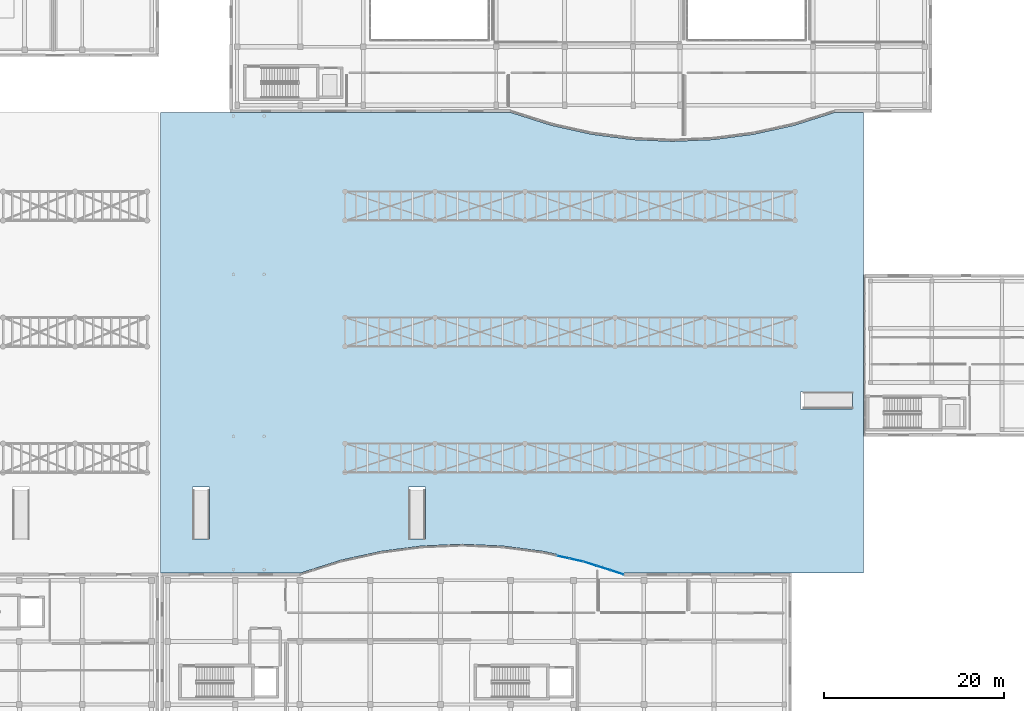
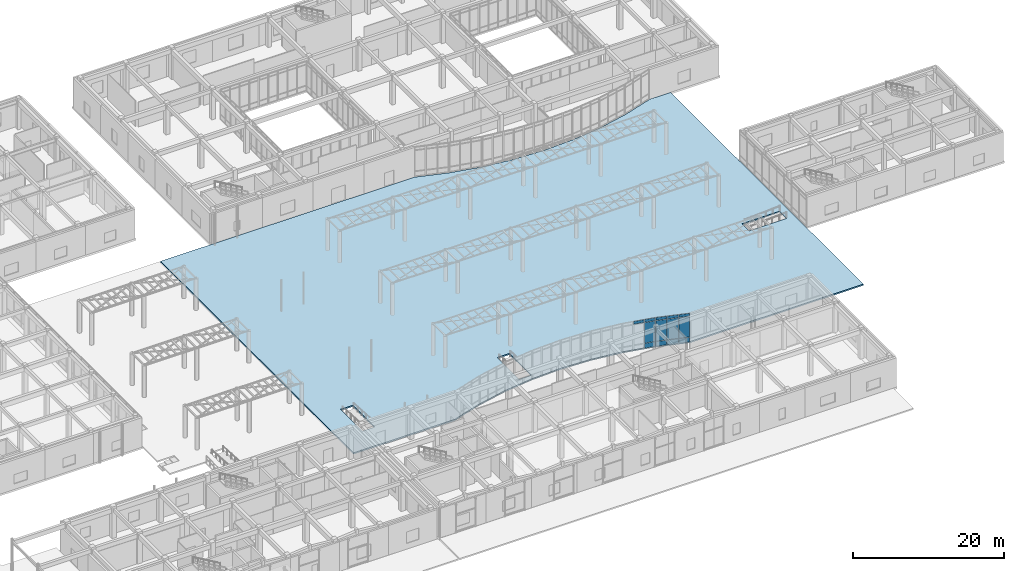
# One storey, part 81 of 121: 13 plates, 1 slab, 2 elements without a shape of their own.
"""IFC4 building model written with IfcOpenShell, lengths in metres."""

import ifcopenshell
import ifcopenshell.guid

model = None  # the IFC model being written
_history = None  # IfcOwnerHistory: only IFC2X3 demands one
_inside = {}  # id of a spatial element -> (the spatial element, [elements in it])
_under = {}  # id of a project, library or spatial element -> (it, [spatial elements below it])
_declared = {}  # id of a project -> (the project, [libraries it declares])
_typed = {}  # id of a type object -> (the type object, [elements of that type])
_made_of = {}  # id of a material, layer set ... -> (it, [elements and type objects made of it])


def new_model(schema):
    """Start an empty IFC model of exactly this schema.

    Asked for "IFC4X3", IfcOpenShell would pick the latest addendum, in which some entities
    have other attributes; the version numbers below select the first issue.
    IFC2X3 requires an IfcOwnerHistory on every rooted entity: one is made here for all.
    """
    global model, _history
    if schema == "IFC4X3":
        model = ifcopenshell.file(schema_version=(4, 3, 0, 0))
    else:
        model = ifcopenshell.file(schema=schema)
    _inside.clear()
    _under.clear()
    _declared.clear()
    _typed.clear()
    _made_of.clear()
    _history = None
    if model.schema == "IFC2X3":
        org = make("IfcOrganization", Name="unknown")
        user = make(
            "IfcPersonAndOrganization",
            ThePerson=make("IfcPerson", FamilyName="unknown"),
            TheOrganization=org,
        )
        app = make(
            "IfcApplication",
            ApplicationDeveloper=org,
            Version="unknown",
            ApplicationFullName="unknown",
            ApplicationIdentifier="unknown",
        )
        _history = make(
            "IfcOwnerHistory",
            OwningUser=user,
            OwningApplication=app,
            ChangeAction="ADDED",
            CreationDate=0,
        )
    return model


def make(cls, **values):
    """One entity of the class cls with the attributes given. An attribute that is None is left unset."""
    return model.create_entity(
        cls, **{name: value for name, value in values.items() if value is not None}
    )


def rooted(cls, **values):
    """An entity with a GlobalId (a new one), such as an element, a storey or a relation."""
    return make(cls, GlobalId=ifcopenshell.guid.new(), OwnerHistory=_history, **values)


def si_unit(unit_type, name, prefix=None):
    """IfcSIUnit, for example si_unit("LENGTHUNIT", "METRE", prefix="MILLI")."""
    return make("IfcSIUnit", UnitType=unit_type, Prefix=prefix, Name=name)


def assignment(units):
    """IfcUnitAssignment: the units of a project."""
    return None if units is None else make("IfcUnitAssignment", Units=units)


def point(xyz):
    """IfcCartesianPoint."""
    return None if xyz is None else make("IfcCartesianPoint", Coordinates=xyz)


def direction(xyz):
    """IfcDirection."""
    return None if xyz is None else make("IfcDirection", DirectionRatios=xyz)


def frame(location, z_axis=None, x_axis=None):
    """IfcAxis2Placement3D, a coordinate frame: its origin and axes. An axis left out is left unset."""
    return make(
        "IfcAxis2Placement3D",
        Location=point(location),
        Axis=direction(z_axis),
        RefDirection=direction(x_axis),
    )


def frame_2d(location, x_axis=None):
    """IfcAxis2Placement2D, a coordinate frame in the plane: its origin and x axis."""
    return make(
        "IfcAxis2Placement2D", Location=point(location), RefDirection=direction(x_axis)
    )


def origin():
    """The frame at (0, 0, 0) with its axes left unset."""
    return frame((0.0, 0.0, 0.0))


def origin_2d():
    """The frame at (0, 0) in the plane with its x axis left unset."""
    return frame_2d((0.0, 0.0))


def place(relative_to, where):
    """IfcLocalPlacement: puts the frame where relative to a parent placement (None: the world)."""
    return make(
        "IfcLocalPlacement", PlacementRelTo=relative_to, RelativePlacement=where
    )


def context(
    kind, dimensions, precision=None, world=None, true_north=None, identifier=None
):
    """IfcGeometricRepresentationContext, for example the 3D "Model" context."""
    return make(
        "IfcGeometricRepresentationContext",
        ContextIdentifier=identifier,
        ContextType=kind,
        CoordinateSpaceDimension=dimensions,
        Precision=precision,
        WorldCoordinateSystem=world,
        TrueNorth=true_north,
    )


def subcontext(parent, identifier, kind, view, scale=None):
    """IfcGeometricRepresentationSubContext, for example "Body" below "Model"."""
    return make(
        "IfcGeometricRepresentationSubContext",
        ContextIdentifier=identifier,
        ContextType=kind,
        ParentContext=parent,
        TargetScale=scale,
        TargetView=view,
    )


def project(units=None, contexts=None):
    """IfcProject with its units and contexts."""
    return rooted(
        "IfcProject",
        Name="project",
        RepresentationContexts=contexts,
        UnitsInContext=assignment(units),
    )


def spatial(cls, under=None, at=None, **own):
    """A site, building, storey or space (cls), placed at a placement, below another one or the project."""
    s = rooted(cls, ObjectPlacement=at, **own)
    if under is not None:
        _under.setdefault(under.id(), (under, []))[1].append(s)
    return s


def polyline(points):
    """IfcPolyline through the points."""
    return make("IfcPolyline", Points=[point(p) for p in points])


def profile(cls, at=None, kind="AREA", **sizes):
    """A parametric profile (cls). Its sizes go by their IFC names, for example OverallWidth=200.0."""
    return make(cls, ProfileType=kind, Position=at, **sizes)


def rectangle(**sizes):
    """IfcRectangleProfileDef."""
    return profile("IfcRectangleProfileDef", **sizes)


def outline(outer, holes=None, kind="AREA"):
    """IfcArbitraryClosedProfileDef: a profile drawn as a closed curve; with holes, ...WithVoids."""
    if holes is None:
        return make("IfcArbitraryClosedProfileDef", ProfileType=kind, OuterCurve=outer)
    return make(
        "IfcArbitraryProfileDefWithVoids",
        ProfileType=kind,
        OuterCurve=outer,
        InnerCurves=holes,
    )


def extrude(swept, where, along, depth):
    """IfcExtrudedAreaSolid: the profile swept, set in the frame where, extruded along a direction by depth."""
    return make(
        "IfcExtrudedAreaSolid",
        SweptArea=swept,
        Position=where,
        ExtrudedDirection=direction(along),
        Depth=depth,
    )


def shape(context_of_items, identifier, shape_type, items):
    """IfcShapeRepresentation: the items that make up one representation, for example the "Body"."""
    return make(
        "IfcShapeRepresentation",
        ContextOfItems=context_of_items,
        RepresentationIdentifier=identifier,
        RepresentationType=shape_type,
        Items=items,
    )


def material(Name=None, Category=None):
    """IfcMaterial."""
    return make("IfcMaterial", Name=Name, Category=Category)


def layer(
    of_material, thickness, ventilated=None, Name=None, Category=None, Priority=None
):
    """IfcMaterialLayer: one layer of a wall or slab, of a material (None: an air gap)."""
    return make(
        "IfcMaterialLayer",
        Material=of_material,
        LayerThickness=thickness,
        IsVentilated=ventilated,
        Name=Name,
        Category=Category,
        Priority=Priority,
    )


def layer_set(layers, Name=None):
    """IfcMaterialLayerSet."""
    return make("IfcMaterialLayerSet", MaterialLayers=layers, LayerSetName=Name)


def made_of(thing, what):
    """Note that an element or type object is made of a material, layer set ...; save() writes the relation."""
    if what is not None:
        _made_of.setdefault(what.id(), (what, []))[1].append(thing)
    return thing


def type_object(cls, material=None, **own):
    """A type object (cls), such as IfcWallType, which elements share."""
    return made_of(rooted(cls, **own), material)


def element(
    cls,
    number,
    at=None,
    inside=None,
    cuts=None,
    type_object=None,
    material=None,
    context=None,
    identifier="Body",
    shape_type=None,
    held_by="IfcProductDefinitionShape",
    body=None,
    shapes=None,
    **own,
):
    """One element of the class cls, such as IfcWall. Its Tag is "e" and its number.

    at: its placement. inside: the storey or other place that contains it. cuts: it is an
    opening in that element (IfcRelVoidsElement). A single representation is given by context,
    identifier, shape_type and body (its items); several are given by shapes. held_by: the class
    of the entity that holds the representations. save() writes the other relations.
    """
    e = rooted(cls, Tag="e%d" % number, ObjectPlacement=at, **own)
    if body is not None:
        shapes = [shape(context, identifier, shape_type, body)]
    if shapes is not None:
        e.Representation = make(held_by, Representations=shapes)
    if inside is not None:
        _inside.setdefault(inside.id(), (inside, []))[1].append(e)
    if cuts is not None:
        rooted(
            "IfcRelVoidsElement", RelatingBuildingElement=cuts, RelatedOpeningElement=e
        )
    if type_object is not None:
        _typed.setdefault(type_object.id(), (type_object, []))[1].append(e)
    return made_of(e, material)


def aggregate(whole, parts):
    """IfcRelAggregates: a whole, such as a stair, and the parts it consists of."""
    return rooted("IfcRelAggregates", RelatingObject=whole, RelatedObjects=parts)


def save(model, path):
    """Write the relations noted so far, then the file.

    IfcRelAggregates (storeys below a building ...), IfcRelContainedInSpatialStructure (elements
    in a storey), IfcRelDefinesByType, IfcRelAssociatesMaterial and IfcRelDeclares: one each for
    every whole, place, type object, material and project.
    """
    for whole, parts in _under.values():
        aggregate(whole, parts)
    for where, things in _inside.values():
        rooted(
            "IfcRelContainedInSpatialStructure",
            RelatedElements=things,
            RelatingStructure=where,
        )
    for kind, things in _typed.values():
        rooted("IfcRelDefinesByType", RelatedObjects=things, RelatingType=kind)
    for what, things in _made_of.values():
        rooted("IfcRelAssociatesMaterial", RelatedObjects=things, RelatingMaterial=what)
    for by, libraries in _declared.values():
        rooted("IfcRelDeclares", RelatingContext=by, RelatedDefinitions=libraries)
    model.write(path)


model = new_model("IFC4")

# Units and contexts
model_context = context("Model", 3, precision=1e-05, world=origin(), true_north=direction((0.0, 1.0)))
body_context = subcontext(model_context, "Body", "Model", "MODEL_VIEW")
ifc_project = project(units=[si_unit("LENGTHUNIT", "METRE"), si_unit("AREAUNIT", "SQUARE_METRE"), si_unit("VOLUMEUNIT", "CUBIC_METRE"), si_unit("PLANEANGLEUNIT", "RADIAN"), si_unit("MASSUNIT", "GRAM", prefix="KILO")], contexts=[model_context])

# Site, building, storey
site_placement = place(None, origin())
site = spatial("IfcSite", under=ifc_project, at=site_placement, CompositionType="ELEMENT")
building_placement = place(site_placement, origin())
building = spatial("IfcBuilding", under=site, at=building_placement, Name="Valcora Specialist Clinic", CompositionType="ELEMENT")
storey_placement = place(building_placement, origin())
storey = spatial("IfcBuildingStorey", under=building, at=storey_placement, Name="L00", CompositionType="ELEMENT", Elevation=0.0)

# Curtain wall, plates
ifc_material_1 = material(Name="Anodized Bronze Aluminium 6063-T6", Category="aluminium")
ifc_layer_1 = layer(ifc_material_1, 0.175048828125)
ifc_layer_set_1 = layer_set([ifc_layer_1], Name="Anodized Bronze Aluminium 6063-T6")
curtain_wall_type = type_object("IfcCurtainWallType", Name="TY-CW-ARC51", PredefinedType="NOTDEFINED", material=ifc_layer_set_1)
curtain_wall_1_placement = place(storey_placement, origin())
curtain_wall_1 = element("IfcCurtainWall", 1, at=curtain_wall_1_placement, inside=storey, type_object=curtain_wall_type, Name="Curtain wall CW-L00-192", PredefinedType="NOTDEFINED")
ifc_material_2 = material(Name="Low-E Laminated Insulating Glass", Category="glass")
ifc_layer_2 = layer(ifc_material_2, 0.028076171875)
ifc_layer_set_2 = layer_set([ifc_layer_2], Name="Low-E Laminated Insulating Glass")
plate_type_1 = type_object("IfcPlateType", Name="TY-CWP-GLZ28", PredefinedType="CURTAIN_PANEL", material=ifc_layer_set_2)
plate_1_placement = place(storey_placement, frame((98.217529296875, 24.58447265625, 4.25244140625), z_axis=(0.0, 0.0, 1.0), x_axis=(0.976278614432, -0.216518052372, 0.0)))
plate_1 = element("IfcPlate", 2, at=plate_1_placement, type_object=plate_type_1, Name="CW-ARC-51 panel 2.3", PredefinedType="CURTAIN_PANEL", context=body_context, shape_type="SweptSolid", body=[
    extrude(rectangle(XDim=1.467041015625, YDim=0.028076171875, at=origin_2d()), origin(), (0.0, 0.0, 1.0), 0.452392578125),
])
plate_2_placement = place(storey_placement, frame((99.697265625, 24.25634765625, 0.88232421875), z_axis=(0.0, 0.0, 1.0), x_axis=(0.976278614432, -0.216518052372, 0.0)))
plate_2 = element("IfcPlate", 3, at=plate_2_placement, type_object=plate_type_1, Name="CW-ARC-51 panel 3.2", PredefinedType="CURTAIN_PANEL", context=body_context, shape_type="SweptSolid", body=[
    extrude(rectangle(XDim=1.4345703125, YDim=0.028076171875, at=origin_2d()), origin(), (0.0, 0.0, 1.0), 3.304931640625),
])
plate_3_placement = place(storey_placement, frame((99.697265625, 24.25634765625, 4.25244140625), z_axis=(0.0, 0.0, 1.0), x_axis=(0.976278614432, -0.216518052372, 0.0)))
plate_3 = element("IfcPlate", 4, at=plate_3_placement, type_object=plate_type_1, Name="CW-ARC-51 panel 3.3", PredefinedType="CURTAIN_PANEL", context=body_context, shape_type="SweptSolid", body=[
    extrude(rectangle(XDim=1.4345703125, YDim=0.028076171875, at=origin_2d()), origin(), (0.0, 0.0, 1.0), 0.452392578125),
])

curtain_wall_2_placement = place(storey_placement, origin())
curtain_wall_2 = element("IfcCurtainWall", 5, at=curtain_wall_2_placement, inside=storey, type_object=curtain_wall_type, Name="Curtain wall CW-L00-193", PredefinedType="NOTDEFINED")
ifc_layer_3 = layer(ifc_material_2, 0.033935546875)
ifc_layer_set_3 = layer_set([ifc_layer_3], Name="Low-E Laminated Insulating Glass")
plate_type_2 = type_object("IfcPlateType", Name="TY-CWP-GLZ34", PredefinedType="CURTAIN_PANEL", material=ifc_layer_set_3)
plate_4_placement = place(storey_placement, frame((101.22900390625, 23.842529296875, 0.88232421875), z_axis=(0.0, 0.0, 1.0), x_axis=(0.952916356972, -0.303233270958, 0.0)))
plate_4 = element("IfcPlate", 6, at=plate_4_placement, type_object=plate_type_2, Name="CW-ARC-51 panel 1.2", PredefinedType="CURTAIN_PANEL", context=body_context, shape_type="SweptSolid", body=[
    extrude(rectangle(XDim=1.482177734375, YDim=0.033935546875, at=origin_2d()), origin(), (0.0, 0.0, 1.0), 3.304931640625),
])
plate_5_placement = place(storey_placement, frame((101.22900390625, 23.842529296875, 4.25244140625), z_axis=(0.0, 0.0, 1.0), x_axis=(0.952916356972, -0.303233270958, 0.0)))
plate_5 = element("IfcPlate", 7, at=plate_5_placement, type_object=plate_type_2, Name="CW-ARC-51 panel 1.3", PredefinedType="CURTAIN_PANEL", context=body_context, shape_type="SweptSolid", body=[
    extrude(rectangle(XDim=1.482177734375, YDim=0.033935546875, at=origin_2d()), origin(), (0.0, 0.0, 1.0), 0.452392578125),
])
plate_6_placement = place(storey_placement, frame((102.71875, 23.368408203125, 0.88232421875), z_axis=(0.0, 0.0, 1.0), x_axis=(0.952916356972, -0.303233270958, 0.0)))
plate_6 = element("IfcPlate", 8, at=plate_6_placement, type_object=plate_type_2, Name="CW-ARC-51 panel 2.2", PredefinedType="CURTAIN_PANEL", context=body_context, shape_type="SweptSolid", body=[
    extrude(rectangle(XDim=1.5146484375, YDim=0.033935546875, at=origin_2d()), origin(), (0.0, 0.0, 1.0), 3.304931640625),
])
plate_7_placement = place(storey_placement, frame((102.71875, 23.368408203125, 4.25244140625), z_axis=(0.0, 0.0, 1.0), x_axis=(0.952916356972, -0.303233270958, 0.0)))
plate_7 = element("IfcPlate", 9, at=plate_7_placement, type_object=plate_type_2, Name="CW-ARC-51 panel 2.3", PredefinedType="CURTAIN_PANEL", context=body_context, shape_type="SweptSolid", body=[
    extrude(rectangle(XDim=1.5146484375, YDim=0.033935546875, at=origin_2d()), origin(), (0.0, 0.0, 1.0), 0.452392578125),
])
plate_8_placement = place(storey_placement, frame((104.20849609375, 22.89453125, 0.88232421875), z_axis=(0.0, 0.0, 1.0), x_axis=(0.952916356972, -0.303233270958, 0.0)))
plate_8 = element("IfcPlate", 10, at=plate_8_placement, type_object=plate_type_2, Name="CW-ARC-51 panel 3.2", PredefinedType="CURTAIN_PANEL", context=body_context, shape_type="SweptSolid", body=[
    extrude(rectangle(XDim=1.482177734375, YDim=0.033935546875, at=origin_2d()), origin(), (0.0, 0.0, 1.0), 3.304931640625),
])
plate_9_placement = place(storey_placement, frame((104.20849609375, 22.89453125, 4.25244140625), z_axis=(0.0, 0.0, 1.0), x_axis=(0.952916356972, -0.303233270958, 0.0)))
plate_9 = element("IfcPlate", 11, at=plate_9_placement, type_object=plate_type_2, Name="CW-ARC-51 panel 3.3", PredefinedType="CURTAIN_PANEL", context=body_context, shape_type="SweptSolid", body=[
    extrude(rectangle(XDim=1.482177734375, YDim=0.033935546875, at=origin_2d()), origin(), (0.0, 0.0, 1.0), 0.452392578125),
])

# Plate
ifc_material_3 = material(Name="Insulated Spandrel Panel")
ifc_layer_4 = layer(ifc_material_3, 0.044921875)
ifc_layer_set_4 = layer_set([ifc_layer_4], Name="Insulated Spandrel Panel")
plate_type_3 = type_object("IfcPlateType", Name="TY-CWP-SPN45", PredefinedType="SHEET", material=ifc_layer_set_4)
plate_10_placement = place(storey_placement, frame((99.697265625, 24.25634765625, 0.06494140625), z_axis=(0.0, 0.0, 1.0), x_axis=(0.976278614432, -0.216518052372, 0.0)))
plate_10 = element("IfcPlate", 12, at=plate_10_placement, type_object=plate_type_3, Name="CW-ARC-51 panel 3.1", PredefinedType="SHEET", context=body_context, shape_type="SweptSolid", body=[
    extrude(rectangle(XDim=1.4345703125, YDim=0.044921875, at=origin_2d()), origin(), (0.0, 0.0, 1.0), 0.75244140625),
])

aggregate(curtain_wall_1, [plate_1, plate_10, plate_2, plate_3])

plate_11_placement = place(storey_placement, frame((101.22900390625, 23.842529296875, 0.06494140625), z_axis=(0.0, 0.0, 1.0), x_axis=(0.952916356972, -0.303233270958, 0.0)))
plate_11 = element("IfcPlate", 13, at=plate_11_placement, type_object=plate_type_3, Name="CW-ARC-51 panel 1.1", PredefinedType="SHEET", context=body_context, shape_type="SweptSolid", body=[
    extrude(rectangle(XDim=1.482177734375, YDim=0.044921875, at=origin_2d()), origin(), (0.0, 0.0, 1.0), 0.75244140625),
])

plate_12_placement = place(storey_placement, frame((102.71875, 23.368408203125, 0.06494140625), z_axis=(0.0, 0.0, 1.0), x_axis=(0.952916356972, -0.303233270958, 0.0)))
plate_12 = element("IfcPlate", 14, at=plate_12_placement, type_object=plate_type_3, Name="CW-ARC-51 panel 2.1", PredefinedType="SHEET", context=body_context, shape_type="SweptSolid", body=[
    extrude(rectangle(XDim=1.5146484375, YDim=0.044921875, at=origin_2d()), origin(), (0.0, 0.0, 1.0), 0.75244140625),
])

plate_13_placement = place(storey_placement, frame((104.20849609375, 22.89453125, 0.06494140625), z_axis=(0.0, 0.0, 1.0), x_axis=(0.952916356972, -0.303233270958, 0.0)))
plate_13 = element("IfcPlate", 15, at=plate_13_placement, type_object=plate_type_3, Name="CW-ARC-51 panel 3.1", PredefinedType="SHEET", context=body_context, shape_type="SweptSolid", body=[
    extrude(rectangle(XDim=1.482177734375, YDim=0.044921875, at=origin_2d()), origin(), (0.0, 0.0, 1.0), 0.75244140625),
])

aggregate(curtain_wall_2, [plate_11, plate_4, plate_5, plate_12, plate_6, plate_7, plate_13, plate_8, plate_9])

# Slab
ifc_material_4 = material(Name="Concrete C35/45", Category="concrete")
ifc_layer_5 = layer(ifc_material_4, 0.219970703125)
ifc_layer_set_5 = layer_set([ifc_layer_5], Name="Concrete C35/45")
slab_type = type_object("IfcSlabType", Name="TY-SL-APRN220", PredefinedType="BASESLAB", material=ifc_layer_set_5)
slab_placement = place(storey_placement, frame((0.0, 0.0, -0.219970703125)))
element("IfcSlab", 16, at=slab_placement, inside=storey, type_object=slab_type, Name="Central healing garden paved courtyard (East) SL-L00-031", PredefinedType="BASESLAB", context=body_context, shape_type="SweptSolid", body=[
    extrude(outline(polyline([(131.60009765625, 22.800048828125), (123.60302734375, 22.800048828125), (123.60302734375, 22.802978515625), (105.00048828125, 22.802978515625), (100.500732421875, 24.23486328125), (96.00048828125, 25.23291015625), (91.500244140625, 25.822998046875), (87.0, 26.01806640625), (82.499755859375, 25.822998046875), (77.99951171875, 25.23291015625), (73.499267578125, 24.23486328125), (68.99951171875, 22.802978515625), (53.5, 22.802978515625), (53.5, 74.0), (61.197021484375, 74.0), (61.197021484375, 73.9970703125), (92.3994140625, 73.9970703125), (96.899169921875, 72.565185546875), (101.3994140625, 71.567138671875), (105.899658203125, 70.97705078125), (110.39990234375, 70.781982421875), (114.900146484375, 70.97705078125), (119.400634765625, 71.567138671875), (123.90087890625, 72.565185546875), (128.400390625, 73.9970703125), (131.60009765625, 73.9970703125), (131.60009765625, 56.0029296875), (131.596923828125, 56.0029296875), (131.596923828125, 37.9970703125), (131.60009765625, 37.9970703125), (131.60009765625, 22.800048828125)]), holes=[polyline([(57.050048828125, 26.6005859375), (58.949951171875, 26.6005859375), (58.949951171875, 32.39990234375), (57.050048828125, 32.39990234375), (57.050048828125, 26.6005859375)]), polyline([(81.050048828125, 26.6005859375), (82.949951171875, 26.6005859375), (82.949951171875, 32.39990234375), (81.050048828125, 32.39990234375), (81.050048828125, 26.6005859375)]), polyline([(130.3994140625, 41.050048828125), (130.3994140625, 42.949951171875), (124.60009765625, 42.949951171875), (124.60009765625, 41.050048828125), (130.3994140625, 41.050048828125)])]), origin(), (0.0, 0.0, 1.0), 0.219970703125),
])

save(model, "model.ifc")
